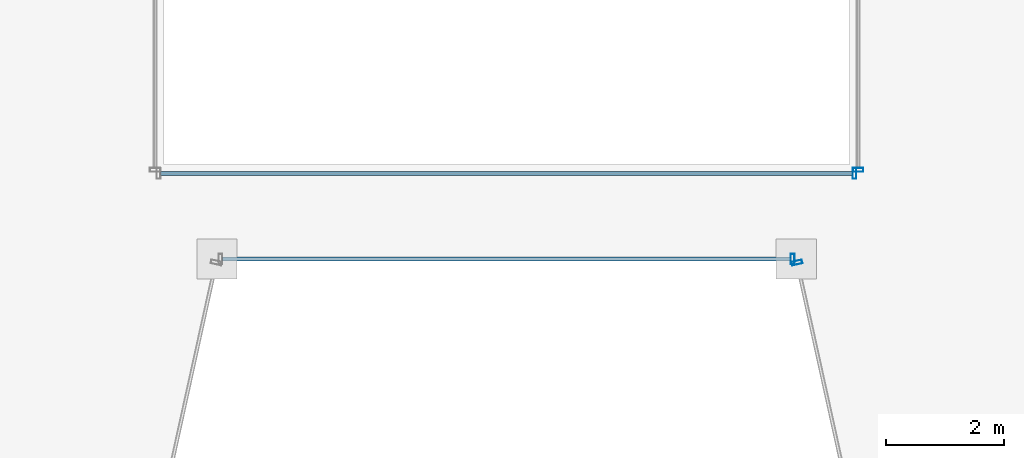
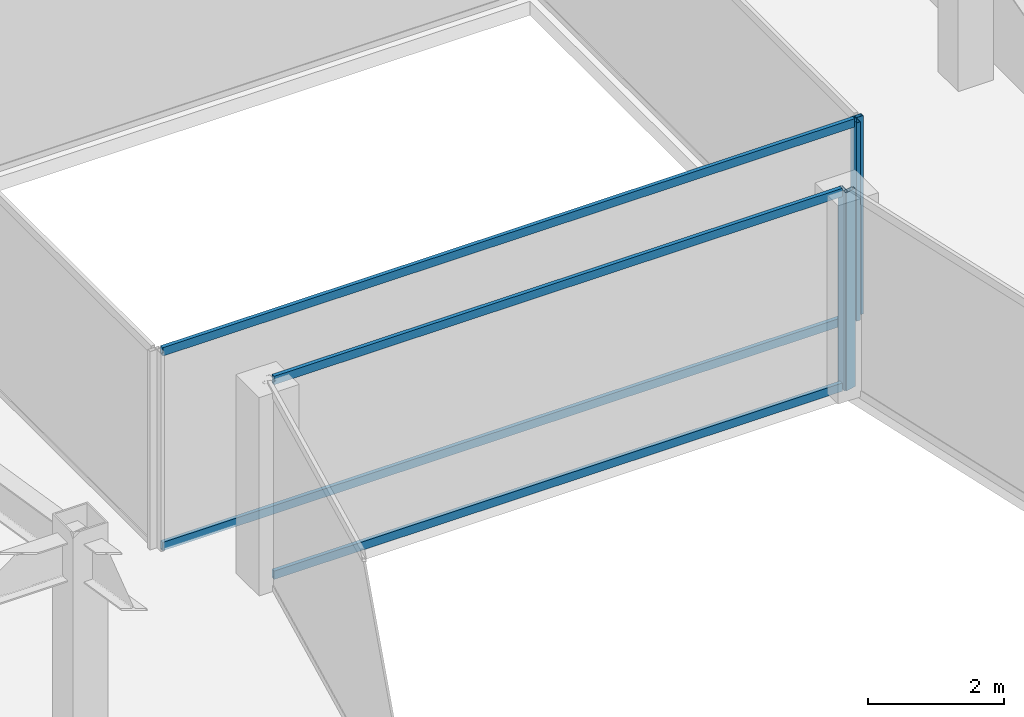
# One storey, part 7 of 35: 8 members, 4 elements without a shape of their own.
"""IFC4 building model written with IfcOpenShell, lengths in metres."""

from ifc_helpers import new_model, si_unit, direction, frame, origin, origin_2d, place, context, subcontext, project, spatial, hollow_rectangle, extrude, material, material_profile, profile_set, type_object, element, aggregate, save


model = new_model("IFC4")

# Units and contexts
model_context = context("Model", 3, precision=1e-05, world=origin(), true_north=direction((0.0, 1.0)))
body_context = subcontext(model_context, "Body", "Model", "MODEL_VIEW")
ifc_project = project(units=[si_unit("LENGTHUNIT", "METRE"), si_unit("AREAUNIT", "SQUARE_METRE"), si_unit("VOLUMEUNIT", "CUBIC_METRE"), si_unit("PLANEANGLEUNIT", "RADIAN"), si_unit("MASSUNIT", "GRAM", prefix="KILO")], contexts=[model_context])

# Site, building, storey
site_placement = place(None, origin())
site = spatial("IfcSite", under=ifc_project, at=site_placement, CompositionType="ELEMENT")
building_placement = place(site_placement, origin())
building = spatial("IfcBuilding", under=site, at=building_placement, Name="Saevonmaru Cultural Tower", CompositionType="ELEMENT")
storey_placement = place(building_placement, frame((0.0, 0.0, 175.199951171875)))
storey = spatial("IfcBuildingStorey", under=building, at=storey_placement, Name="L39", CompositionType="ELEMENT", Elevation=175.199951171875)

# Curtain wall, member
ifc_material = material(Name="Satin Bronze Anodised Aluminium", Category="aluminium")
curtain_wall_type_1 = type_object("IfcCurtainWallType", Name="CW-TYP-B", PredefinedType="NOTDEFINED", material=ifc_material)
curtain_wall_1_placement = place(storey_placement, origin())
curtain_wall_1 = element("IfcCurtainWall", 1, at=curtain_wall_1_placement, inside=storey, type_object=curtain_wall_type_1, Name="L39 Unitised Curtain Wall E4", PredefinedType="NOTDEFINED")
ifc_material_profile_1 = material_profile(ifc_material, hollow_rectangle(XDim=0.06494140625, YDim=0.179931640625, WallThickness=0.00390625, at=origin_2d()), Name="ALU-MULL-180x65x4")
ifc_profile_set_1 = profile_set([ifc_material_profile_1], Name="Satin Bronze Anodised Aluminium")
member_type_1 = type_object("IfcMemberType", Name="ML-CW-180x65", PredefinedType="MULLION", material=ifc_profile_set_1)
member_1_placement = place(storey_placement, frame((34.84228515625, 26.0, 0.0), z_axis=(0.0, 0.0, 1.0), x_axis=(1.0, 0.0, 0.0)))
member_1 = element("IfcMember", 2, at=member_1_placement, type_object=member_type_1, Name="CW-TW-L39-E4 mullion 2", PredefinedType="MULLION", context=body_context, shape_type="SweptSolid", body=[
    extrude(hollow_rectangle(XDim=0.06494140625, YDim=0.179931640625, WallThickness=0.00390625, at=origin_2d()), origin(), (0.0, 0.0, 1.0), 3.550048828125),
])

curtain_wall_2_placement = place(storey_placement, origin())
curtain_wall_2 = element("IfcCurtainWall", 3, at=curtain_wall_2_placement, inside=storey, type_object=curtain_wall_type_1, Name="L39 Unitised Curtain Wall E5", PredefinedType="NOTDEFINED")
member_2_placement = place(storey_placement, frame((34.9150390625, 25.94140625, 0.0), z_axis=(0.0, 0.0, 1.0), x_axis=(0.215413319953, -0.976522965212, 0.0)))
member_2 = element("IfcMember", 4, at=member_2_placement, type_object=member_type_1, Name="CW-TW-L39-E5 mullion 1", PredefinedType="MULLION", context=body_context, shape_type="SweptSolid", body=[
    extrude(hollow_rectangle(XDim=0.06494140625, YDim=0.179931640625, WallThickness=0.00390625, at=origin_2d()), origin(), (0.0, 0.0, 1.0), 3.550048828125),
])
aggregate(curtain_wall_2, [member_2])

curtain_wall_type_2 = type_object("IfcCurtainWallType", Name="CW-ATR-GLZ", PredefinedType="NOTDEFINED", material=ifc_material)
curtain_wall_3_placement = place(storey_placement, origin())
curtain_wall_3 = element("IfcCurtainWall", 5, at=curtain_wall_3_placement, inside=storey, type_object=curtain_wall_type_2, Name="L39 Vertical Atrium Glazed Smoke Screen 1", PredefinedType="NOTDEFINED")
ifc_material_profile_2 = material_profile(ifc_material, hollow_rectangle(XDim=0.06494140625, YDim=0.179931640625, WallThickness=0.00390625, at=origin_2d()), Name="ALU-MULL-180x65x4")
ifc_profile_set_2 = profile_set([ifc_material_profile_2], Name="Satin Bronze Anodised Aluminium")
member_type_2 = type_object("IfcMemberType", Name="ML-CW-INT-180x65", PredefinedType="MULLION", material=ifc_profile_set_2)
member_3_placement = place(storey_placement, frame((35.889892578125, 27.449951171875, 0.0), z_axis=(0.0, 0.0, 1.0), x_axis=(1.0, 0.0, 0.0)))
member_3 = element("IfcMember", 6, at=member_3_placement, type_object=member_type_2, Name="CW-ATR-L39-1 mullion 2", PredefinedType="MULLION", context=body_context, shape_type="SweptSolid", body=[
    extrude(hollow_rectangle(XDim=0.06494140625, YDim=0.179931640625, WallThickness=0.00390625, at=origin_2d()), origin(), (0.0, 0.0, 1.0), 3.550048828125),
])

curtain_wall_4_placement = place(storey_placement, origin())
curtain_wall_4 = element("IfcCurtainWall", 7, at=curtain_wall_4_placement, inside=storey, type_object=curtain_wall_type_2, Name="L39 Vertical Atrium Glazed Smoke Screen 2", PredefinedType="NOTDEFINED")
member_4_placement = place(storey_placement, frame((35.949951171875, 27.510009765625, 0.0), z_axis=(0.0, 0.0, 1.0), x_axis=(0.0, 1.0, 0.0)))
member_4 = element("IfcMember", 8, at=member_4_placement, type_object=member_type_2, Name="CW-ATR-L39-2 mullion 1", PredefinedType="MULLION", context=body_context, shape_type="SweptSolid", body=[
    extrude(hollow_rectangle(XDim=0.06494140625, YDim=0.179931640625, WallThickness=0.00390625, at=origin_2d()), origin(), (0.0, 0.0, 1.0), 3.550048828125),
])
aggregate(curtain_wall_4, [member_4])

# Member
ifc_material_profile_3 = material_profile(ifc_material, hollow_rectangle(XDim=0.06494140625, YDim=0.14990234375, WallThickness=0.00390625, at=origin_2d()), Name="ALU-TRAN-150x65x4")
ifc_profile_set_3 = profile_set([ifc_material_profile_3], Name="Satin Bronze Anodised Aluminium")
member_type_3 = type_object("IfcMemberType", Name="TR-CW-150x65", PredefinedType="USERDEFINED", material=ifc_profile_set_3)
member_5_placement = place(storey_placement, frame((25.190185546875, 26.0, 0.032470703125), z_axis=(1.0, 0.0, 0.0), x_axis=(0.0, 1.0, 0.0)))
member_5 = element("IfcMember", 9, at=member_5_placement, type_object=member_type_3, Name="CW-TW-L39-E4 transom 1.1", ObjectType="TRANSOM", PredefinedType="USERDEFINED", context=body_context, shape_type="SweptSolid", body=[
    extrude(hollow_rectangle(XDim=0.06494140625, YDim=0.14990234375, WallThickness=0.00390625, at=origin_2d()), origin(), (0.0, 0.0, 1.0), 9.61962890625),
])

member_6_placement = place(storey_placement, frame((25.190185546875, 26.0, 3.517578125), z_axis=(1.0, 0.0, 0.0), x_axis=(0.0, 1.0, 0.0)))
member_6 = element("IfcMember", 10, at=member_6_placement, type_object=member_type_3, Name="CW-TW-L39-E4 transom 1.2", ObjectType="TRANSOM", PredefinedType="USERDEFINED", context=body_context, shape_type="SweptSolid", body=[
    extrude(hollow_rectangle(XDim=0.06494140625, YDim=0.14990234375, WallThickness=0.00390625, at=origin_2d()), origin(), (0.0, 0.0, 1.0), 9.61962890625),
])

aggregate(curtain_wall_1, [member_1, member_5, member_6])

ifc_material_profile_4 = material_profile(ifc_material, hollow_rectangle(XDim=0.06494140625, YDim=0.14990234375, WallThickness=0.00390625, at=origin_2d()), Name="ALU-TRAN-150x65x4")
ifc_profile_set_4 = profile_set([ifc_material_profile_4], Name="Satin Bronze Anodised Aluminium")
member_type_4 = type_object("IfcMemberType", Name="TR-CW-INT-150x65", PredefinedType="USERDEFINED", material=ifc_profile_set_4)
member_7_placement = place(storey_placement, frame((24.142578125, 27.449951171875, 0.032470703125), z_axis=(1.0, 0.0, 0.0), x_axis=(0.0, 1.0, 0.0)))
member_7 = element("IfcMember", 11, at=member_7_placement, type_object=member_type_4, Name="CW-ATR-L39-1 transom 1.1", ObjectType="TRANSOM", PredefinedType="USERDEFINED", context=body_context, shape_type="SweptSolid", body=[
    extrude(hollow_rectangle(XDim=0.06494140625, YDim=0.14990234375, WallThickness=0.00390625, at=origin_2d()), origin(), (0.0, 0.0, 1.0), 11.71484375),
])

member_8_placement = place(storey_placement, frame((24.142578125, 27.449951171875, 3.517578125), z_axis=(1.0, 0.0, 0.0), x_axis=(0.0, 1.0, 0.0)))
member_8 = element("IfcMember", 12, at=member_8_placement, type_object=member_type_4, Name="CW-ATR-L39-1 transom 1.2", ObjectType="TRANSOM", PredefinedType="USERDEFINED", context=body_context, shape_type="SweptSolid", body=[
    extrude(hollow_rectangle(XDim=0.06494140625, YDim=0.14990234375, WallThickness=0.00390625, at=origin_2d()), origin(), (0.0, 0.0, 1.0), 11.71484375),
])

aggregate(curtain_wall_3, [member_3, member_7, member_8])

save(model, "model.ifc")
